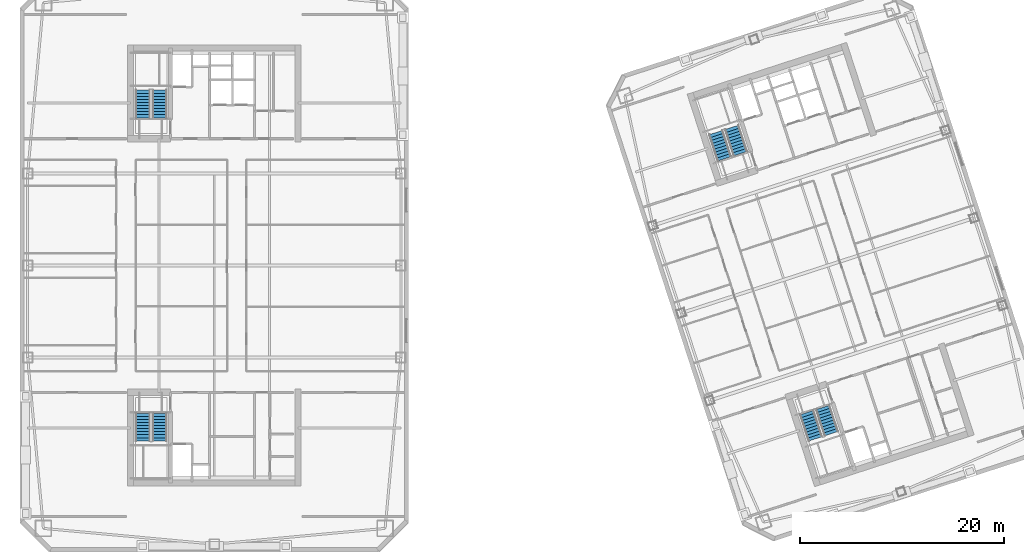
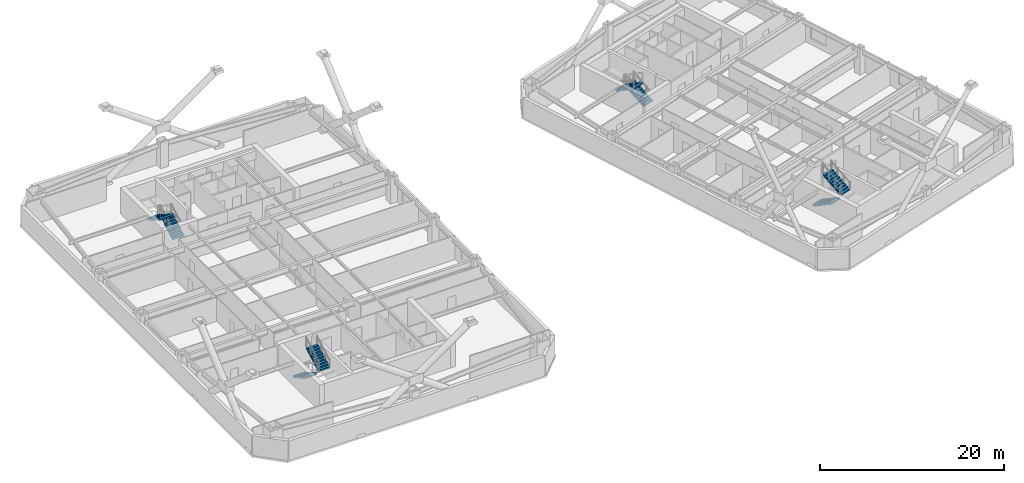
# One storey, part 12 of 14: 8 stair flights, 4 elements without a shape of their own.
"""IFC4 building model written with IfcOpenShell, lengths in metres."""

from ifc_helpers import new_model, si_unit, direction, frame, origin, place, context, subcontext, project, spatial, polyline, outline, extrude, material, type_object, element, aggregate, save


model = new_model("IFC4")

# Units and contexts
model_context = context("Model", 3, precision=1e-05, world=origin(), true_north=direction((0.0, 1.0)))
body_context = subcontext(model_context, "Body", "Model", "MODEL_VIEW")
ifc_project = project(units=[si_unit("LENGTHUNIT", "METRE"), si_unit("AREAUNIT", "SQUARE_METRE"), si_unit("VOLUMEUNIT", "CUBIC_METRE"), si_unit("PLANEANGLEUNIT", "RADIAN"), si_unit("MASSUNIT", "GRAM", prefix="KILO")], contexts=[model_context])

# Site, building, storey
site_placement = place(None, origin())
site = spatial("IfcSite", under=ifc_project, at=site_placement, CompositionType="ELEMENT")
building_placement = place(site_placement, origin())
building = spatial("IfcBuilding", under=site, at=building_placement, Name="Qiaolan Cultural Towers", CompositionType="ELEMENT")
storey_placement = place(building_placement, frame((0.0, 0.0, 149.5)))
storey = spatial("IfcBuildingStorey", under=building, at=storey_placement, Name="L39", CompositionType="ELEMENT", Elevation=149.5)

# Stair, stair flights
ifc_material_1 = material(Name="Concrete C45", Category="concrete")
stair_type = type_object("IfcStairType", Name="STR-CORE-1500", PredefinedType="HALF_TURN_STAIR", material=ifc_material_1)
stair_1_placement = place(storey_placement, origin())
stair_1 = element("IfcStair", 1, at=stair_1_placement, inside=storey, type_object=stair_type, Name="L39 Smokeproof Exit Stair ST-W1", PredefinedType="HALF_TURN_STAIR")
ifc_material_2 = material(Name="Concrete C45", Category="concrete")
stair_flight_type = type_object("IfcStairFlightType", Name="STR-CORE-1500-FL", PredefinedType="STRAIGHT", material=ifc_material_2)
stair_flight_1_placement = place(storey_placement, frame((23.02001953125, 19.550048828125, 0.0), z_axis=(0.0, 0.0, 1.0), x_axis=(0.0, -1.0, 0.0)))
stair_flight_1 = element("IfcStairFlight", 2, at=stair_flight_1_placement, type_object=stair_flight_type, Name="ST-W1 flight 1", NumberOfRisers=10, NumberOfTreads=9, PredefinedType="STRAIGHT", RiserHeight=0.1725, TreadLength=0.3, context=body_context, shape_type="SweptSolid", body=[
    extrude(outline(polyline([(0.0, 0.0), (0.0, 0.172607421875), (0.300048828125, 0.172607421875), (0.300048828125, 0.344970703125), (0.60009765625, 0.344970703125), (0.60009765625, 0.517578125), (0.89990234375, 0.517578125), (0.89990234375, 0.68994140625), (1.199951171875, 0.68994140625), (1.199951171875, 0.862548828125), (1.5, 0.862548828125), (1.5, 1.034912109375), (1.800048828125, 1.034912109375), (1.800048828125, 1.20751953125), (2.10009765625, 1.20751953125), (2.10009765625, 1.3798828125), (2.39990234375, 1.3798828125), (2.39990234375, 1.552490234375), (2.699951171875, 1.552490234375), (2.699951171875, 1.72509765625), (2.699951171875, 1.379638671875), (0.30078125, 0.0), (0.0, 0.0)])), frame((0.0, 0.719970703125, 0.0), z_axis=(0.0, -1.0, 0.0), x_axis=(1.0, 0.0, 0.0)), (0.0, 0.0, 1.0), 1.43994140625),
])
stair_flight_2_placement = place(storey_placement, frame((24.659912109375, 16.85009765625, 1.72509765625), z_axis=(0.0, 0.0, 1.0), x_axis=(0.0, 1.0, 0.0)))
stair_flight_2 = element("IfcStairFlight", 3, at=stair_flight_2_placement, type_object=stair_flight_type, Name="ST-W1 flight 2", NumberOfRisers=10, NumberOfTreads=9, PredefinedType="STRAIGHT", RiserHeight=0.1725, TreadLength=0.3, context=body_context, shape_type="SweptSolid", body=[
    extrude(outline(polyline([(0.0, 0.0), (0.0, 0.172607421875), (0.300048828125, 0.172607421875), (0.300048828125, 0.344970703125), (0.60009765625, 0.344970703125), (0.60009765625, 0.517578125), (0.89990234375, 0.517578125), (0.89990234375, 0.68994140625), (1.199951171875, 0.68994140625), (1.199951171875, 0.862548828125), (1.5, 0.862548828125), (1.5, 1.034912109375), (1.800048828125, 1.034912109375), (1.800048828125, 1.20751953125), (2.10009765625, 1.20751953125), (2.10009765625, 1.3798828125), (2.39990234375, 1.3798828125), (2.39990234375, 1.552490234375), (2.699951171875, 1.552490234375), (2.699951171875, 1.72509765625), (2.699951171875, 1.379638671875), (0.30078125, 0.0), (0.0, 0.0)])), frame((0.0, 0.719970703125, 0.0), z_axis=(0.0, -1.0, 0.0), x_axis=(1.0, 0.0, 0.0)), (0.0, 0.0, 1.0), 1.43994140625),
])
aggregate(stair_1, [stair_flight_1, stair_flight_2])

stair_2_placement = place(storey_placement, origin())
stair_2 = element("IfcStair", 4, at=stair_2_placement, inside=storey, type_object=stair_type, Name="L39 Smokeproof Exit Stair ST-W2", PredefinedType="HALF_TURN_STAIR")
stair_flight_3_placement = place(storey_placement, frame((24.659912109375, 48.449951171875, 0.0), z_axis=(0.0, 0.0, 1.0), x_axis=(0.0, 1.0, 0.0)))
stair_flight_3 = element("IfcStairFlight", 5, at=stair_flight_3_placement, type_object=stair_flight_type, Name="ST-W2 flight 1", NumberOfRisers=10, NumberOfTreads=9, PredefinedType="STRAIGHT", RiserHeight=0.1725, TreadLength=0.3, context=body_context, shape_type="SweptSolid", body=[
    extrude(outline(polyline([(0.0, 0.0), (0.0, 0.172607421875), (0.300048828125, 0.172607421875), (0.300048828125, 0.344970703125), (0.60009765625, 0.344970703125), (0.60009765625, 0.517578125), (0.89990234375, 0.517578125), (0.89990234375, 0.68994140625), (1.199951171875, 0.68994140625), (1.199951171875, 0.862548828125), (1.5, 0.862548828125), (1.5, 1.034912109375), (1.800048828125, 1.034912109375), (1.800048828125, 1.20751953125), (2.10009765625, 1.20751953125), (2.10009765625, 1.3798828125), (2.39990234375, 1.3798828125), (2.39990234375, 1.552490234375), (2.699951171875, 1.552490234375), (2.699951171875, 1.72509765625), (2.699951171875, 1.379638671875), (0.30078125, 0.0), (0.0, 0.0)])), frame((0.0, 0.719970703125, 0.0), z_axis=(0.0, -1.0, 0.0), x_axis=(1.0, 0.0, 0.0)), (0.0, 0.0, 1.0), 1.43994140625),
])
stair_flight_4_placement = place(storey_placement, frame((23.02001953125, 51.14990234375, 1.72509765625), z_axis=(0.0, 0.0, 1.0), x_axis=(0.0, -1.0, 0.0)))
stair_flight_4 = element("IfcStairFlight", 6, at=stair_flight_4_placement, type_object=stair_flight_type, Name="ST-W2 flight 2", NumberOfRisers=10, NumberOfTreads=9, PredefinedType="STRAIGHT", RiserHeight=0.1725, TreadLength=0.3, context=body_context, shape_type="SweptSolid", body=[
    extrude(outline(polyline([(0.0, 0.0), (0.0, 0.172607421875), (0.300048828125, 0.172607421875), (0.300048828125, 0.344970703125), (0.60009765625, 0.344970703125), (0.60009765625, 0.517578125), (0.89990234375, 0.517578125), (0.89990234375, 0.68994140625), (1.199951171875, 0.68994140625), (1.199951171875, 0.862548828125), (1.5, 0.862548828125), (1.5, 1.034912109375), (1.800048828125, 1.034912109375), (1.800048828125, 1.20751953125), (2.10009765625, 1.20751953125), (2.10009765625, 1.3798828125), (2.39990234375, 1.3798828125), (2.39990234375, 1.552490234375), (2.699951171875, 1.552490234375), (2.699951171875, 1.72509765625), (2.699951171875, 1.379638671875), (0.30078125, 0.0), (0.0, 0.0)])), frame((0.0, 0.719970703125, 0.0), z_axis=(0.0, -1.0, 0.0), x_axis=(1.0, 0.0, 0.0)), (0.0, 0.0, 1.0), 1.43994140625),
])
aggregate(stair_2, [stair_flight_3, stair_flight_4])

stair_3_placement = place(storey_placement, origin())
stair_3 = element("IfcStair", 7, at=stair_3_placement, inside=storey, type_object=stair_type, Name="L39 Smokeproof Exit Stair ST-E1", PredefinedType="HALF_TURN_STAIR")
stair_flight_5_placement = place(storey_placement, frame((87.96484375, 19.6171875, 0.0), z_axis=(0.0, 0.0, 1.0), x_axis=(0.309016994375, -0.951056516295, 0.0)))
stair_flight_5 = element("IfcStairFlight", 8, at=stair_flight_5_placement, type_object=stair_flight_type, Name="ST-E1 flight 1", NumberOfRisers=10, NumberOfTreads=9, PredefinedType="STRAIGHT", RiserHeight=0.1725, TreadLength=0.3, context=body_context, shape_type="SweptSolid", body=[
    extrude(outline(polyline([(0.0, 0.0), (0.0, 0.172607421875), (0.300048828125, 0.172607421875), (0.300048828125, 0.344970703125), (0.60009765625, 0.344970703125), (0.60009765625, 0.517578125), (0.89990234375, 0.517578125), (0.89990234375, 0.68994140625), (1.199951171875, 0.68994140625), (1.199951171875, 0.862548828125), (1.5, 0.862548828125), (1.5, 1.034912109375), (1.800048828125, 1.034912109375), (1.800048828125, 1.20751953125), (2.10009765625, 1.20751953125), (2.10009765625, 1.3798828125), (2.39990234375, 1.3798828125), (2.39990234375, 1.552490234375), (2.699951171875, 1.552490234375), (2.699951171875, 1.72509765625), (2.699951171875, 1.379638671875), (0.30078125, 0.0), (0.0, 0.0)])), frame((0.0, 0.719970703125, 0.0), z_axis=(0.0, -1.0, 0.0), x_axis=(1.0, 0.0, 0.0)), (0.0, 0.0, 1.0), 1.43994140625),
])
stair_flight_6_placement = place(storey_placement, frame((90.359130859375, 17.55615234375, 1.72509765625), z_axis=(0.0, 0.0, 1.0), x_axis=(-0.309016994375, 0.951056516295, 0.0)))
stair_flight_6 = element("IfcStairFlight", 9, at=stair_flight_6_placement, type_object=stair_flight_type, Name="ST-E1 flight 2", NumberOfRisers=10, NumberOfTreads=9, PredefinedType="STRAIGHT", RiserHeight=0.1725, TreadLength=0.3, context=body_context, shape_type="SweptSolid", body=[
    extrude(outline(polyline([(0.0, 0.0), (0.0, 0.172607421875), (0.300048828125, 0.172607421875), (0.300048828125, 0.344970703125), (0.60009765625, 0.344970703125), (0.60009765625, 0.517578125), (0.89990234375, 0.517578125), (0.89990234375, 0.68994140625), (1.199951171875, 0.68994140625), (1.199951171875, 0.862548828125), (1.5, 0.862548828125), (1.5, 1.034912109375), (1.800048828125, 1.034912109375), (1.800048828125, 1.20751953125), (2.10009765625, 1.20751953125), (2.10009765625, 1.3798828125), (2.39990234375, 1.3798828125), (2.39990234375, 1.552490234375), (2.699951171875, 1.552490234375), (2.699951171875, 1.72509765625), (2.699951171875, 1.379638671875), (0.30078125, 0.0), (0.0, 0.0)])), frame((0.0, 0.719970703125, 0.0), z_axis=(0.0, -1.0, 0.0), x_axis=(1.0, 0.0, 0.0)), (0.0, 0.0, 1.0), 1.43994140625),
])
aggregate(stair_3, [stair_flight_5, stair_flight_6])

stair_4_placement = place(storey_placement, origin())
stair_4 = element("IfcStair", 10, at=stair_4_placement, inside=storey, type_object=stair_type, Name="L39 Smokeproof Exit Stair ST-E2", PredefinedType="HALF_TURN_STAIR")
stair_flight_7_placement = place(storey_placement, frame((81.459228515625, 44.946533203125, 0.0), z_axis=(0.0, 0.0, 1.0), x_axis=(-0.309016994375, 0.951056516295, 0.0)))
stair_flight_7 = element("IfcStairFlight", 11, at=stair_flight_7_placement, type_object=stair_flight_type, Name="ST-E2 flight 1", NumberOfRisers=10, NumberOfTreads=9, PredefinedType="STRAIGHT", RiserHeight=0.1725, TreadLength=0.3, context=body_context, shape_type="SweptSolid", body=[
    extrude(outline(polyline([(0.0, 0.0), (0.0, 0.172607421875), (0.300048828125, 0.172607421875), (0.300048828125, 0.344970703125), (0.60009765625, 0.344970703125), (0.60009765625, 0.517578125), (0.89990234375, 0.517578125), (0.89990234375, 0.68994140625), (1.199951171875, 0.68994140625), (1.199951171875, 0.862548828125), (1.5, 0.862548828125), (1.5, 1.034912109375), (1.800048828125, 1.034912109375), (1.800048828125, 1.20751953125), (2.10009765625, 1.20751953125), (2.10009765625, 1.3798828125), (2.39990234375, 1.3798828125), (2.39990234375, 1.552490234375), (2.699951171875, 1.552490234375), (2.699951171875, 1.72509765625), (2.699951171875, 1.379638671875), (0.30078125, 0.0), (0.0, 0.0)])), frame((0.0, 0.719970703125, 0.0), z_axis=(0.0, -1.0, 0.0), x_axis=(1.0, 0.0, 0.0)), (0.0, 0.0, 1.0), 1.43994140625),
])
stair_flight_8_placement = place(storey_placement, frame((79.065185546875, 47.007568359375, 1.72509765625), z_axis=(0.0, 0.0, 1.0), x_axis=(0.309016994375, -0.951056516295, 0.0)))
stair_flight_8 = element("IfcStairFlight", 12, at=stair_flight_8_placement, type_object=stair_flight_type, Name="ST-E2 flight 2", NumberOfRisers=10, NumberOfTreads=9, PredefinedType="STRAIGHT", RiserHeight=0.1725, TreadLength=0.3, context=body_context, shape_type="SweptSolid", body=[
    extrude(outline(polyline([(0.0, 0.0), (0.0, 0.172607421875), (0.300048828125, 0.172607421875), (0.300048828125, 0.344970703125), (0.60009765625, 0.344970703125), (0.60009765625, 0.517578125), (0.89990234375, 0.517578125), (0.89990234375, 0.68994140625), (1.199951171875, 0.68994140625), (1.199951171875, 0.862548828125), (1.5, 0.862548828125), (1.5, 1.034912109375), (1.800048828125, 1.034912109375), (1.800048828125, 1.20751953125), (2.10009765625, 1.20751953125), (2.10009765625, 1.3798828125), (2.39990234375, 1.3798828125), (2.39990234375, 1.552490234375), (2.699951171875, 1.552490234375), (2.699951171875, 1.72509765625), (2.699951171875, 1.379638671875), (0.30078125, 0.0), (0.0, 0.0)])), frame((0.0, 0.719970703125, 0.0), z_axis=(0.0, -1.0, 0.0), x_axis=(1.0, 0.0, 0.0)), (0.0, 0.0, 1.0), 1.43994140625),
])
aggregate(stair_4, [stair_flight_7, stair_flight_8])

save(model, "model.ifc")
